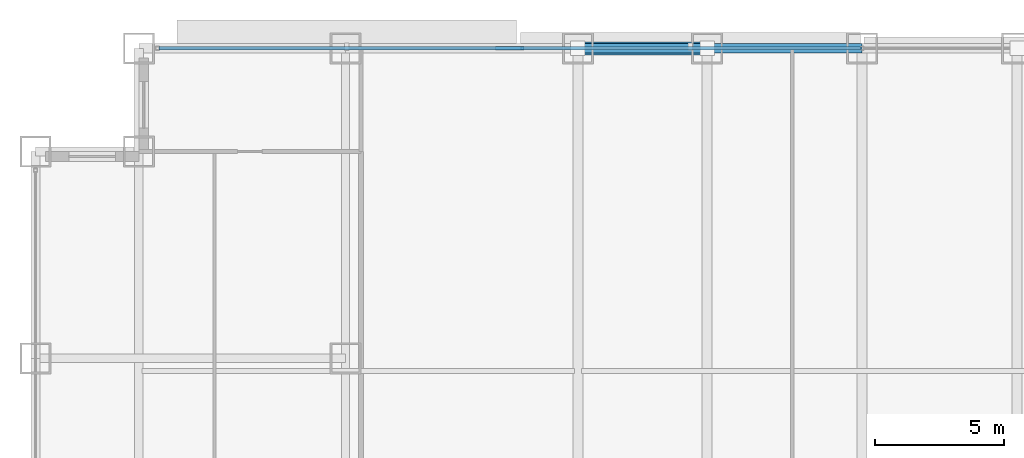
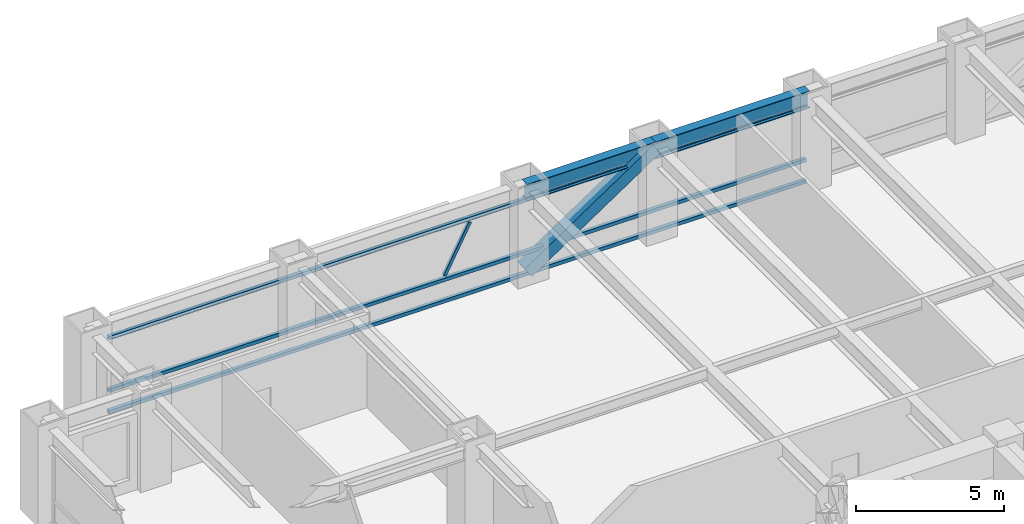
# One storey, part 18 of 32: 5 members, 2 beams, 1 element without a shape of its own.
"""IFC4 building model written with IfcOpenShell, lengths in metres."""

from ifc_helpers import new_model, si_unit, direction, frame, origin, origin_2d, place, context, subcontext, project, spatial, hollow_rectangle, i_section, extrude, source, transform, mapped, material, material_profile, profile_set, type_object, element, aggregate, save


model = new_model("IFC4")

# Units and contexts
model_context = context("Model", 3, precision=1e-05, world=origin(), true_north=direction((0.0, 1.0)))
body_context = subcontext(model_context, "Body", "Model", "MODEL_VIEW")
ifc_project = project(units=[si_unit("LENGTHUNIT", "METRE"), si_unit("AREAUNIT", "SQUARE_METRE"), si_unit("VOLUMEUNIT", "CUBIC_METRE"), si_unit("PLANEANGLEUNIT", "RADIAN"), si_unit("MASSUNIT", "GRAM", prefix="KILO")], contexts=[model_context])

# Site, building, storey
site_placement = place(None, origin())
site = spatial("IfcSite", under=ifc_project, at=site_placement, CompositionType="ELEMENT")
building_placement = place(site_placement, origin())
building = spatial("IfcBuilding", under=site, at=building_placement, Name="Khorayat Bourse Tower", CompositionType="ELEMENT")
storey_placement = place(building_placement, frame((0.0, 0.0, 128.300048828125)))
storey = spatial("IfcBuildingStorey", under=building, at=storey_placement, Name="L29", CompositionType="ELEMENT", Elevation=128.300048828125)

# Beams
ifc_material_1 = material(Name="Steel ASTM A992 Grade 50", Category="steel")
ifc_material_profile_1 = material_profile(ifc_material_1, i_section(OverallWidth=0.35498046875, OverallDepth=0.695068359375, WebThickness=0.015380859375, FlangeThickness=0.02490234375, FilletRadius=0.01806640625, at=origin_2d()), Name="W690X217")
ifc_profile_set_1 = profile_set([ifc_material_profile_1], Name="Steel ASTM A992 Grade 50")
beam_type = type_object("IfcBeamType", Name="BM-SPAN-690", PredefinedType="SPANDREL", material=ifc_profile_set_1)
shared_shape_1 = source(origin(), body_context, "Body", "SweptSolid", [
    extrude(i_section(OverallWidth=0.35498046875, OverallDepth=0.695068359375, WebThickness=0.015380859375, FlangeThickness=0.02490234375, FilletRadius=0.01806640625, at=origin_2d()), origin(), (0.0, 0.0, 1.0), 5.0),
])
beam_1_placement = place(storey_placement, frame((-11.0, 32.0, 3.492431640625), z_axis=(1.0, 0.0, 0.0), x_axis=(0.0, 1.0, 0.0)))
element("IfcBeam", 1, at=beam_1_placement, inside=storey, type_object=beam_type, Name="L29 BM-SPAN-690 BM-L29-SPN-049", PredefinedType="SPANDREL", context=body_context, shape_type="MappedRepresentation", body=[
    mapped(shared_shape_1, transform((0.0, 0.0, 0.0), scale=1.0)),
])
shared_shape_2 = source(origin(), body_context, "Body", "SweptSolid", [
    extrude(i_section(OverallWidth=0.35498046875, OverallDepth=0.695068359375, WebThickness=0.015380859375, FlangeThickness=0.02490234375, FilletRadius=0.01806640625, at=origin_2d()), origin(), (0.0, 0.0, 1.0), 6.0),
])
beam_2_placement = place(storey_placement, frame((-6.0, 32.0, 3.492431640625), z_axis=(1.0, 0.0, 0.0), x_axis=(0.0, 1.0, 0.0)))
element("IfcBeam", 2, at=beam_2_placement, inside=storey, type_object=beam_type, Name="L29 BM-SPAN-690 BM-L29-SPN-048", PredefinedType="SPANDREL", context=body_context, shape_type="MappedRepresentation", body=[
    mapped(shared_shape_2, transform((0.0, 0.0, 0.0), scale=1.0)),
])

# Member
ifc_material_2 = material(Name="Steel EN 10025-4 S460M", Category="steel")
ifc_material_profile_2 = material_profile(ifc_material_2, hollow_rectangle(XDim=0.5, YDim=0.5, WallThickness=0.028076171875, at=origin_2d()), Name="HSS 500x500x28")
ifc_profile_set_2 = profile_set([ifc_material_profile_2], Name="Steel EN 10025-4 S460M")
member_type_1 = type_object("IfcMemberType", Name="MBR-TUBE-500", PredefinedType="BRACE", material=ifc_profile_set_2)
shared_shape_3 = source(origin(), body_context, "Body", "SweptSolid", [
    extrude(hollow_rectangle(XDim=0.5, YDim=0.5, WallThickness=0.028076171875, at=origin_2d()), origin(), (0.0, 0.0, 1.0), 6.012939453125),
])
member_1_placement = place(storey_placement, frame((-11.0, 32.0, 0.25), z_axis=(0.831550226979, 0.0, 0.555449565677), x_axis=(0.0, 1.0, 0.0)))
element("IfcMember", 3, at=member_1_placement, inside=storey, type_object=member_type_1, Name="L29 Perimeter Tube Brace 03", PredefinedType="BRACE", context=body_context, shape_type="MappedRepresentation", body=[
    mapped(shared_shape_3, transform((0.0, 0.0, 0.0), scale=1.0)),
])

# Curtain wall, members
ifc_material_3 = material(Name="Aluminium EN AW-6063 T6", Category="aluminium")
curtain_wall_type = type_object("IfcCurtainWallType", Name="CW-SYS-02", PredefinedType="NOTDEFINED", material=ifc_material_3)
curtain_wall_placement = place(storey_placement, origin())
curtain_wall = element("IfcCurtainWall", 4, at=curtain_wall_placement, inside=storey, type_object=curtain_wall_type, Name="L29 Curtain Wall CW-L29-N1", PredefinedType="NOTDEFINED")
ifc_material_profile_3 = material_profile(ifc_material_3, hollow_rectangle(XDim=0.139892578125, YDim=0.139892578125, WallThickness=0.006103515625, at=origin_2d()), Name="ALU 140x140x6")
ifc_profile_set_3 = profile_set([ifc_material_profile_3], Name="Aluminium EN AW-6063 T6")
member_type_2 = type_object("IfcMemberType", Name="CWT-HORZ-140", PredefinedType="USERDEFINED", material=ifc_profile_set_3)
shared_shape_4 = source(origin(), body_context, "Body", "SweptSolid", [
    extrude(hollow_rectangle(XDim=0.139892578125, YDim=0.139892578125, WallThickness=0.006103515625, at=origin_2d()), origin(), (0.0, 0.0, 1.0), 27.139892578125),
])
member_2_placement = place(storey_placement, frame((-27.2099609375, 32.0, 0.070068359375), z_axis=(1.0, 0.0, 0.0), x_axis=(0.0, 1.0, 0.0)))
member_2 = element("IfcMember", 5, at=member_2_placement, type_object=member_type_2, Name="CW-L29-N1 Horizontal Transom 1-1", ObjectType="TRANSOM", PredefinedType="USERDEFINED", context=body_context, shape_type="MappedRepresentation", body=[
    mapped(shared_shape_4, transform((0.0, 0.0, 0.0), scale=1.0)),
])
member_3_placement = place(storey_placement, frame((-27.2099609375, 32.0, 0.949951171875), z_axis=(1.0, 0.0, 0.0), x_axis=(0.0, 1.0, 0.0)))
member_3 = element("IfcMember", 6, at=member_3_placement, type_object=member_type_2, Name="CW-L29-N1 Horizontal Transom 1-2", ObjectType="TRANSOM", PredefinedType="USERDEFINED", context=body_context, shape_type="MappedRepresentation", body=[
    mapped(shared_shape_4, transform((0.0, 0.0, 0.0), scale=1.0)),
])
member_4_placement = place(storey_placement, frame((-27.2099609375, 32.0, 3.119873046875), z_axis=(1.0, 0.0, 0.0), x_axis=(0.0, 1.0, 0.0)))
member_4 = element("IfcMember", 7, at=member_4_placement, type_object=member_type_2, Name="CW-L29-N1 Horizontal Transom 1-3", ObjectType="TRANSOM", PredefinedType="USERDEFINED", context=body_context, shape_type="MappedRepresentation", body=[
    mapped(shared_shape_4, transform((0.0, 0.0, 0.0), scale=1.0)),
])
ifc_material_profile_4 = material_profile(ifc_material_3, hollow_rectangle(XDim=0.1201171875, YDim=0.1201171875, WallThickness=0.0048828125, at=origin_2d()), Name="ALU 120x120x5")
ifc_profile_set_4 = profile_set([ifc_material_profile_4], Name="Aluminium EN AW-6063 T6")
member_type_3 = type_object("IfcMemberType", Name="CWM-DIAG-120", PredefinedType="MULLION", material=ifc_profile_set_4)
shared_shape_5 = source(origin(), body_context, "Body", "SweptSolid", [
    extrude(hollow_rectangle(XDim=0.1201171875, YDim=0.1201171875, WallThickness=0.0048828125, at=origin_2d()), origin(), (0.0, 0.0, 1.0), 2.11328125),
])
member_5_placement = place(storey_placement, frame((-14.132080078125, 32.0, 1.099853515625), z_axis=(0.465694055905, 0.0, 0.884945787207), x_axis=(0.0, 1.0, 0.0)))
member_5 = element("IfcMember", 8, at=member_5_placement, type_object=member_type_3, Name="CW-L29-N1 Faceted Diagonal Mullion 1", PredefinedType="MULLION", context=body_context, shape_type="MappedRepresentation", body=[
    mapped(shared_shape_5, transform((0.0, 0.0, 0.0), scale=1.0)),
])
aggregate(curtain_wall, [member_2, member_3, member_4, member_5])

save(model, "model.ifc")
